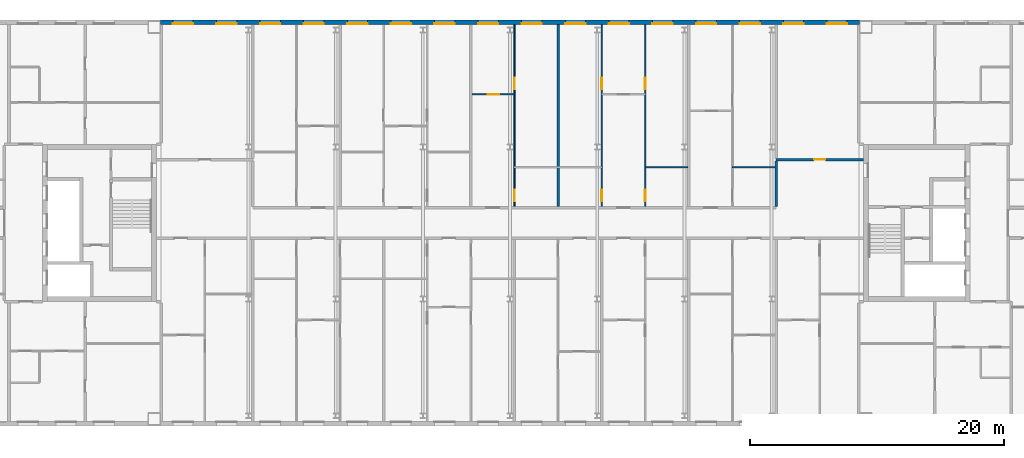
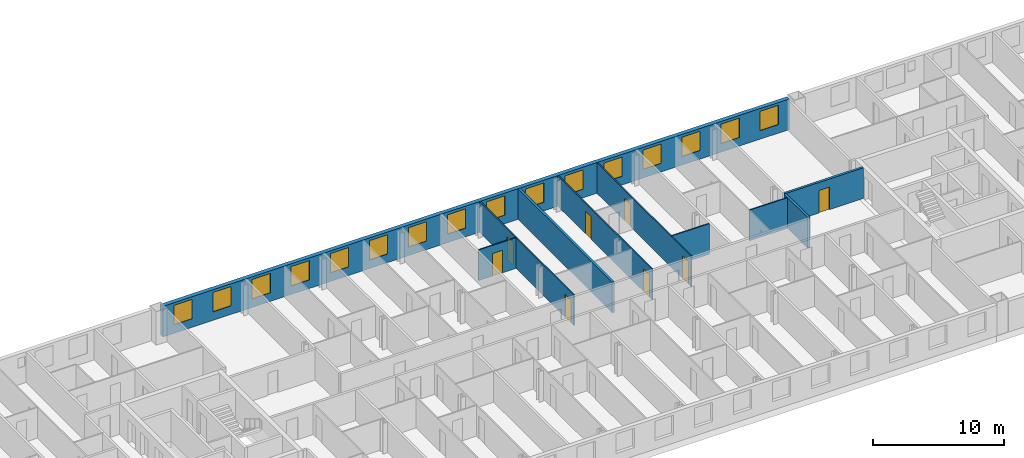
# One storey, part 12 of 19: 16 windows, 10 walls, 8 doors, 24 openings.
"""IFC4 building model written with IfcOpenShell, lengths in metres."""

from ifc_helpers import new_model, si_unit, direction, frame, frame_2d, origin, place, context, subcontext, project, spatial, rectangle, extrude, material, layer, layer_set, type_object, element, fill, save


model = new_model("IFC4")

# Units and contexts
model_context = context("Model", 3, precision=1e-05, world=origin(), true_north=direction((0.0, 1.0)))
body_context = subcontext(model_context, "Body", "Model", "MODEL_VIEW")
ifc_project = project(units=[si_unit("LENGTHUNIT", "METRE"), si_unit("AREAUNIT", "SQUARE_METRE"), si_unit("VOLUMEUNIT", "CUBIC_METRE"), si_unit("PLANEANGLEUNIT", "RADIAN"), si_unit("MASSUNIT", "GRAM", prefix="KILO")], contexts=[model_context])

# Site, building, storey
site_placement = place(None, origin())
site = spatial("IfcSite", under=ifc_project, at=site_placement, CompositionType="ELEMENT")
building_placement = place(site_placement, origin())
building = spatial("IfcBuilding", under=site, at=building_placement, Name="Tuart Gate Housing", CompositionType="ELEMENT")
storey_placement = place(building_placement, frame((0.0, 0.0, 221.39990234375)))
storey = spatial("IfcBuildingStorey", under=building, at=storey_placement, Name="L62", CompositionType="ELEMENT", Elevation=221.39990234375)

# Wall, openings, windows
ifc_material_1 = material(Name="Brick", Category="masonry")
ifc_layer_1 = layer(ifc_material_1, 0.360107421875)
ifc_layer_set_1 = layer_set([ifc_layer_1], Name="Brick pier and spandrel wall 360")
wall_type_1 = type_object("IfcWallType", Name="Brick pier and spandrel wall 360", PredefinedType="STANDARD", material=ifc_layer_set_1)
wall_1_placement = place(storey_placement, frame((131.050048828125, 85.820068359375, 0.0), z_axis=(0.0, 0.0, 1.0), x_axis=(-1.0, 0.0, 0.0)))
wall_1 = element("IfcWall", 1, at=wall_1_placement, inside=storey, type_object=wall_type_1, Name="External wall BLK-N L62", PredefinedType="STANDARD", context=body_context, shape_type="SweptSolid", body=[
    extrude(rectangle(XDim=55.10009765625, YDim=0.360107421875, at=frame_2d((27.550048828125, 0.0))), origin(), (0.0, 0.0, 1.0), 2.85009765625),
])
opening_1_placement = place(wall_1_placement, frame((0.96875, 0.0, 0.800048828125)))
opening_1 = element("IfcOpeningElement", 2, at=opening_1_placement, cuts=wall_1, Name="Opening W1", PredefinedType="OPENING", context=body_context, shape_type="SweptSolid", body=[
    extrude(rectangle(XDim=1.60009765625, YDim=1.800048828125, at=frame_2d((0.800048828125, 0.89990234375))), frame((0.0, 0.18994140625, 0.0), z_axis=(0.0, -1.0, 0.0), x_axis=(1.0, 0.0, 0.0)), (0.0, 0.0, 1.0), 0.380126953125),
])
opening_2_placement = place(wall_1_placement, frame((4.40625, 0.0, 0.800048828125)))
opening_2 = element("IfcOpeningElement", 3, at=opening_2_placement, cuts=wall_1, Name="Opening W1", PredefinedType="OPENING", context=body_context, shape_type="SweptSolid", body=[
    extrude(rectangle(XDim=1.60009765625, YDim=1.800048828125, at=frame_2d((0.800048828125, 0.89990234375))), frame((0.0, 0.18994140625, 0.0), z_axis=(0.0, -1.0, 0.0), x_axis=(1.0, 0.0, 0.0)), (0.0, 0.0, 1.0), 0.380126953125),
])
opening_3_placement = place(wall_1_placement, frame((7.84375, 0.0, 0.800048828125)))
opening_3 = element("IfcOpeningElement", 4, at=opening_3_placement, cuts=wall_1, Name="Opening W1", PredefinedType="OPENING", context=body_context, shape_type="SweptSolid", body=[
    extrude(rectangle(XDim=1.60009765625, YDim=1.800048828125, at=frame_2d((0.800048828125, 0.89990234375))), frame((0.0, 0.18994140625, 0.0), z_axis=(0.0, -1.0, 0.0), x_axis=(1.0, 0.0, 0.0)), (0.0, 0.0, 1.0), 0.380126953125),
])
opening_4_placement = place(wall_1_placement, frame((11.28125, 0.0, 0.800048828125)))
opening_4 = element("IfcOpeningElement", 5, at=opening_4_placement, cuts=wall_1, Name="Opening W1", PredefinedType="OPENING", context=body_context, shape_type="SweptSolid", body=[
    extrude(rectangle(XDim=1.60009765625, YDim=1.800048828125, at=frame_2d((0.800048828125, 0.89990234375))), frame((0.0, 0.18994140625, 0.0), z_axis=(0.0, -1.0, 0.0), x_axis=(1.0, 0.0, 0.0)), (0.0, 0.0, 1.0), 0.380126953125),
])
opening_5_placement = place(wall_1_placement, frame((14.71875, 0.0, 0.800048828125)))
opening_5 = element("IfcOpeningElement", 6, at=opening_5_placement, cuts=wall_1, Name="Opening W1", PredefinedType="OPENING", context=body_context, shape_type="SweptSolid", body=[
    extrude(rectangle(XDim=1.60009765625, YDim=1.800048828125, at=frame_2d((0.800048828125, 0.89990234375))), frame((0.0, 0.18994140625, 0.0), z_axis=(0.0, -1.0, 0.0), x_axis=(1.0, 0.0, 0.0)), (0.0, 0.0, 1.0), 0.380126953125),
])
opening_6_placement = place(wall_1_placement, frame((18.15625, 0.0, 0.800048828125)))
opening_6 = element("IfcOpeningElement", 7, at=opening_6_placement, cuts=wall_1, Name="Opening W1", PredefinedType="OPENING", context=body_context, shape_type="SweptSolid", body=[
    extrude(rectangle(XDim=1.60009765625, YDim=1.800048828125, at=frame_2d((0.800048828125, 0.89990234375))), frame((0.0, 0.18994140625, 0.0), z_axis=(0.0, -1.0, 0.0), x_axis=(1.0, 0.0, 0.0)), (0.0, 0.0, 1.0), 0.380126953125),
])
opening_7_placement = place(wall_1_placement, frame((21.59375, 0.0, 0.800048828125)))
opening_7 = element("IfcOpeningElement", 8, at=opening_7_placement, cuts=wall_1, Name="Opening W1", PredefinedType="OPENING", context=body_context, shape_type="SweptSolid", body=[
    extrude(rectangle(XDim=1.60009765625, YDim=1.800048828125, at=frame_2d((0.800048828125, 0.89990234375))), frame((0.0, 0.18994140625, 0.0), z_axis=(0.0, -1.0, 0.0), x_axis=(1.0, 0.0, 0.0)), (0.0, 0.0, 1.0), 0.380126953125),
])
opening_8_placement = place(wall_1_placement, frame((25.03125, 0.0, 0.800048828125)))
opening_8 = element("IfcOpeningElement", 9, at=opening_8_placement, cuts=wall_1, Name="Opening W1", PredefinedType="OPENING", context=body_context, shape_type="SweptSolid", body=[
    extrude(rectangle(XDim=1.60009765625, YDim=1.800048828125, at=frame_2d((0.800048828125, 0.89990234375))), frame((0.0, 0.18994140625, 0.0), z_axis=(0.0, -1.0, 0.0), x_axis=(1.0, 0.0, 0.0)), (0.0, 0.0, 1.0), 0.380126953125),
])
opening_9_placement = place(wall_1_placement, frame((28.46875, 0.0, 0.800048828125)))
opening_9 = element("IfcOpeningElement", 10, at=opening_9_placement, cuts=wall_1, Name="Opening W1", PredefinedType="OPENING", context=body_context, shape_type="SweptSolid", body=[
    extrude(rectangle(XDim=1.60009765625, YDim=1.800048828125, at=frame_2d((0.800048828125, 0.89990234375))), frame((0.0, 0.18994140625, 0.0), z_axis=(0.0, -1.0, 0.0), x_axis=(1.0, 0.0, 0.0)), (0.0, 0.0, 1.0), 0.380126953125),
])
opening_10_placement = place(wall_1_placement, frame((31.90625, 0.0, 0.800048828125)))
opening_10 = element("IfcOpeningElement", 11, at=opening_10_placement, cuts=wall_1, Name="Opening W1", PredefinedType="OPENING", context=body_context, shape_type="SweptSolid", body=[
    extrude(rectangle(XDim=1.60009765625, YDim=1.800048828125, at=frame_2d((0.800048828125, 0.89990234375))), frame((0.0, 0.18994140625, 0.0), z_axis=(0.0, -1.0, 0.0), x_axis=(1.0, 0.0, 0.0)), (0.0, 0.0, 1.0), 0.380126953125),
])
opening_11_placement = place(wall_1_placement, frame((35.34375, 0.0, 0.800048828125)))
opening_11 = element("IfcOpeningElement", 12, at=opening_11_placement, cuts=wall_1, Name="Opening W1", PredefinedType="OPENING", context=body_context, shape_type="SweptSolid", body=[
    extrude(rectangle(XDim=1.60009765625, YDim=1.800048828125, at=frame_2d((0.800048828125, 0.89990234375))), frame((0.0, 0.18994140625, 0.0), z_axis=(0.0, -1.0, 0.0), x_axis=(1.0, 0.0, 0.0)), (0.0, 0.0, 1.0), 0.380126953125),
])
opening_12_placement = place(wall_1_placement, frame((38.78125, 0.0, 0.800048828125)))
opening_12 = element("IfcOpeningElement", 13, at=opening_12_placement, cuts=wall_1, Name="Opening W1", PredefinedType="OPENING", context=body_context, shape_type="SweptSolid", body=[
    extrude(rectangle(XDim=1.60009765625, YDim=1.800048828125, at=frame_2d((0.800048828125, 0.89990234375))), frame((0.0, 0.18994140625, 0.0), z_axis=(0.0, -1.0, 0.0), x_axis=(1.0, 0.0, 0.0)), (0.0, 0.0, 1.0), 0.380126953125),
])
opening_13_placement = place(wall_1_placement, frame((42.21875, 0.0, 0.800048828125)))
opening_13 = element("IfcOpeningElement", 14, at=opening_13_placement, cuts=wall_1, Name="Opening W1", PredefinedType="OPENING", context=body_context, shape_type="SweptSolid", body=[
    extrude(rectangle(XDim=1.60009765625, YDim=1.800048828125, at=frame_2d((0.800048828125, 0.89990234375))), frame((0.0, 0.18994140625, 0.0), z_axis=(0.0, -1.0, 0.0), x_axis=(1.0, 0.0, 0.0)), (0.0, 0.0, 1.0), 0.380126953125),
])
opening_14_placement = place(wall_1_placement, frame((45.65625, 0.0, 0.800048828125)))
opening_14 = element("IfcOpeningElement", 15, at=opening_14_placement, cuts=wall_1, Name="Opening W1", PredefinedType="OPENING", context=body_context, shape_type="SweptSolid", body=[
    extrude(rectangle(XDim=1.60009765625, YDim=1.800048828125, at=frame_2d((0.800048828125, 0.89990234375))), frame((0.0, 0.18994140625, 0.0), z_axis=(0.0, -1.0, 0.0), x_axis=(1.0, 0.0, 0.0)), (0.0, 0.0, 1.0), 0.380126953125),
])
opening_15_placement = place(wall_1_placement, frame((49.09375, 0.0, 0.800048828125)))
opening_15 = element("IfcOpeningElement", 16, at=opening_15_placement, cuts=wall_1, Name="Opening W1", PredefinedType="OPENING", context=body_context, shape_type="SweptSolid", body=[
    extrude(rectangle(XDim=1.60009765625, YDim=1.800048828125, at=frame_2d((0.800048828125, 0.89990234375))), frame((0.0, 0.18994140625, 0.0), z_axis=(0.0, -1.0, 0.0), x_axis=(1.0, 0.0, 0.0)), (0.0, 0.0, 1.0), 0.380126953125),
])
opening_16_placement = place(wall_1_placement, frame((52.53125, 0.0, 0.800048828125)))
opening_16 = element("IfcOpeningElement", 17, at=opening_16_placement, cuts=wall_1, Name="Opening W1", PredefinedType="OPENING", context=body_context, shape_type="SweptSolid", body=[
    extrude(rectangle(XDim=1.60009765625, YDim=1.800048828125, at=frame_2d((0.800048828125, 0.89990234375))), frame((0.0, 0.18994140625, 0.0), z_axis=(0.0, -1.0, 0.0), x_axis=(1.0, 0.0, 0.0)), (0.0, 0.0, 1.0), 0.380126953125),
])
ifc_material_2 = material(Name="Aluminium frame with clear glass", Category="aluminium")
window_type = type_object("IfcWindowType", Name="Punched window 1600 x 1800", PartitioningType="SINGLE_PANEL", PredefinedType="WINDOW", material=ifc_material_2)
window_1_placement = place(opening_1_placement, origin())
window_1 = element("IfcWindow", 18, at=window_1_placement, inside=storey, type_object=window_type, Name="Window W1", OverallHeight=1.800048828125, OverallWidth=1.60009765625, PartitioningType="SINGLE_PANEL", PredefinedType="WINDOW", context=body_context, shape_type="SweptSolid", body=[
    extrude(rectangle(XDim=1.60009765625, YDim=1.800048828125, at=frame_2d((0.800048828125, 0.89990234375))), frame((0.0, 0.150146484375, 0.0), z_axis=(0.0, -1.0, 0.0), x_axis=(1.0, 0.0, 0.0)), (0.0, 0.0, 1.0), 0.06005859375),
])
fill(opening_1, window_1)
window_2_placement = place(opening_2_placement, origin())
window_2 = element("IfcWindow", 19, at=window_2_placement, inside=storey, type_object=window_type, Name="Window W1", OverallHeight=1.800048828125, OverallWidth=1.60009765625, PartitioningType="SINGLE_PANEL", PredefinedType="WINDOW", context=body_context, shape_type="SweptSolid", body=[
    extrude(rectangle(XDim=1.60009765625, YDim=1.800048828125, at=frame_2d((0.800048828125, 0.89990234375))), frame((0.0, 0.150146484375, 0.0), z_axis=(0.0, -1.0, 0.0), x_axis=(1.0, 0.0, 0.0)), (0.0, 0.0, 1.0), 0.06005859375),
])
fill(opening_2, window_2)
window_3_placement = place(opening_3_placement, origin())
window_3 = element("IfcWindow", 20, at=window_3_placement, inside=storey, type_object=window_type, Name="Window W1", OverallHeight=1.800048828125, OverallWidth=1.60009765625, PartitioningType="SINGLE_PANEL", PredefinedType="WINDOW", context=body_context, shape_type="SweptSolid", body=[
    extrude(rectangle(XDim=1.60009765625, YDim=1.800048828125, at=frame_2d((0.800048828125, 0.89990234375))), frame((0.0, 0.150146484375, 0.0), z_axis=(0.0, -1.0, 0.0), x_axis=(1.0, 0.0, 0.0)), (0.0, 0.0, 1.0), 0.06005859375),
])
fill(opening_3, window_3)
window_4_placement = place(opening_4_placement, origin())
window_4 = element("IfcWindow", 21, at=window_4_placement, inside=storey, type_object=window_type, Name="Window W1", OverallHeight=1.800048828125, OverallWidth=1.60009765625, PartitioningType="SINGLE_PANEL", PredefinedType="WINDOW", context=body_context, shape_type="SweptSolid", body=[
    extrude(rectangle(XDim=1.60009765625, YDim=1.800048828125, at=frame_2d((0.800048828125, 0.89990234375))), frame((0.0, 0.150146484375, 0.0), z_axis=(0.0, -1.0, 0.0), x_axis=(1.0, 0.0, 0.0)), (0.0, 0.0, 1.0), 0.06005859375),
])
fill(opening_4, window_4)
window_5_placement = place(opening_5_placement, origin())
window_5 = element("IfcWindow", 22, at=window_5_placement, inside=storey, type_object=window_type, Name="Window W1", OverallHeight=1.800048828125, OverallWidth=1.60009765625, PartitioningType="SINGLE_PANEL", PredefinedType="WINDOW", context=body_context, shape_type="SweptSolid", body=[
    extrude(rectangle(XDim=1.60009765625, YDim=1.800048828125, at=frame_2d((0.800048828125, 0.89990234375))), frame((0.0, 0.150146484375, 0.0), z_axis=(0.0, -1.0, 0.0), x_axis=(1.0, 0.0, 0.0)), (0.0, 0.0, 1.0), 0.06005859375),
])
fill(opening_5, window_5)
window_6_placement = place(opening_6_placement, origin())
window_6 = element("IfcWindow", 23, at=window_6_placement, inside=storey, type_object=window_type, Name="Window W1", OverallHeight=1.800048828125, OverallWidth=1.60009765625, PartitioningType="SINGLE_PANEL", PredefinedType="WINDOW", context=body_context, shape_type="SweptSolid", body=[
    extrude(rectangle(XDim=1.60009765625, YDim=1.800048828125, at=frame_2d((0.800048828125, 0.89990234375))), frame((0.0, 0.150146484375, 0.0), z_axis=(0.0, -1.0, 0.0), x_axis=(1.0, 0.0, 0.0)), (0.0, 0.0, 1.0), 0.06005859375),
])
fill(opening_6, window_6)
window_7_placement = place(opening_7_placement, origin())
window_7 = element("IfcWindow", 24, at=window_7_placement, inside=storey, type_object=window_type, Name="Window W1", OverallHeight=1.800048828125, OverallWidth=1.60009765625, PartitioningType="SINGLE_PANEL", PredefinedType="WINDOW", context=body_context, shape_type="SweptSolid", body=[
    extrude(rectangle(XDim=1.60009765625, YDim=1.800048828125, at=frame_2d((0.800048828125, 0.89990234375))), frame((0.0, 0.150146484375, 0.0), z_axis=(0.0, -1.0, 0.0), x_axis=(1.0, 0.0, 0.0)), (0.0, 0.0, 1.0), 0.06005859375),
])
fill(opening_7, window_7)
window_8_placement = place(opening_8_placement, origin())
window_8 = element("IfcWindow", 25, at=window_8_placement, inside=storey, type_object=window_type, Name="Window W1", OverallHeight=1.800048828125, OverallWidth=1.60009765625, PartitioningType="SINGLE_PANEL", PredefinedType="WINDOW", context=body_context, shape_type="SweptSolid", body=[
    extrude(rectangle(XDim=1.60009765625, YDim=1.800048828125, at=frame_2d((0.800048828125, 0.89990234375))), frame((0.0, 0.150146484375, 0.0), z_axis=(0.0, -1.0, 0.0), x_axis=(1.0, 0.0, 0.0)), (0.0, 0.0, 1.0), 0.06005859375),
])
fill(opening_8, window_8)
window_9_placement = place(opening_9_placement, origin())
window_9 = element("IfcWindow", 26, at=window_9_placement, inside=storey, type_object=window_type, Name="Window W1", OverallHeight=1.800048828125, OverallWidth=1.60009765625, PartitioningType="SINGLE_PANEL", PredefinedType="WINDOW", context=body_context, shape_type="SweptSolid", body=[
    extrude(rectangle(XDim=1.60009765625, YDim=1.800048828125, at=frame_2d((0.800048828125, 0.89990234375))), frame((0.0, 0.150146484375, 0.0), z_axis=(0.0, -1.0, 0.0), x_axis=(1.0, 0.0, 0.0)), (0.0, 0.0, 1.0), 0.06005859375),
])
fill(opening_9, window_9)
window_10_placement = place(opening_10_placement, origin())
window_10 = element("IfcWindow", 27, at=window_10_placement, inside=storey, type_object=window_type, Name="Window W1", OverallHeight=1.800048828125, OverallWidth=1.60009765625, PartitioningType="SINGLE_PANEL", PredefinedType="WINDOW", context=body_context, shape_type="SweptSolid", body=[
    extrude(rectangle(XDim=1.60009765625, YDim=1.800048828125, at=frame_2d((0.800048828125, 0.89990234375))), frame((0.0, 0.150146484375, 0.0), z_axis=(0.0, -1.0, 0.0), x_axis=(1.0, 0.0, 0.0)), (0.0, 0.0, 1.0), 0.06005859375),
])
fill(opening_10, window_10)
window_11_placement = place(opening_11_placement, origin())
window_11 = element("IfcWindow", 28, at=window_11_placement, inside=storey, type_object=window_type, Name="Window W1", OverallHeight=1.800048828125, OverallWidth=1.60009765625, PartitioningType="SINGLE_PANEL", PredefinedType="WINDOW", context=body_context, shape_type="SweptSolid", body=[
    extrude(rectangle(XDim=1.60009765625, YDim=1.800048828125, at=frame_2d((0.800048828125, 0.89990234375))), frame((0.0, 0.150146484375, 0.0), z_axis=(0.0, -1.0, 0.0), x_axis=(1.0, 0.0, 0.0)), (0.0, 0.0, 1.0), 0.06005859375),
])
fill(opening_11, window_11)
window_12_placement = place(opening_12_placement, origin())
window_12 = element("IfcWindow", 29, at=window_12_placement, inside=storey, type_object=window_type, Name="Window W1", OverallHeight=1.800048828125, OverallWidth=1.60009765625, PartitioningType="SINGLE_PANEL", PredefinedType="WINDOW", context=body_context, shape_type="SweptSolid", body=[
    extrude(rectangle(XDim=1.60009765625, YDim=1.800048828125, at=frame_2d((0.800048828125, 0.89990234375))), frame((0.0, 0.150146484375, 0.0), z_axis=(0.0, -1.0, 0.0), x_axis=(1.0, 0.0, 0.0)), (0.0, 0.0, 1.0), 0.06005859375),
])
fill(opening_12, window_12)
window_13_placement = place(opening_13_placement, origin())
window_13 = element("IfcWindow", 30, at=window_13_placement, inside=storey, type_object=window_type, Name="Window W1", OverallHeight=1.800048828125, OverallWidth=1.60009765625, PartitioningType="SINGLE_PANEL", PredefinedType="WINDOW", context=body_context, shape_type="SweptSolid", body=[
    extrude(rectangle(XDim=1.60009765625, YDim=1.800048828125, at=frame_2d((0.800048828125, 0.89990234375))), frame((0.0, 0.150146484375, 0.0), z_axis=(0.0, -1.0, 0.0), x_axis=(1.0, 0.0, 0.0)), (0.0, 0.0, 1.0), 0.06005859375),
])
fill(opening_13, window_13)
window_14_placement = place(opening_14_placement, origin())
window_14 = element("IfcWindow", 31, at=window_14_placement, inside=storey, type_object=window_type, Name="Window W1", OverallHeight=1.800048828125, OverallWidth=1.60009765625, PartitioningType="SINGLE_PANEL", PredefinedType="WINDOW", context=body_context, shape_type="SweptSolid", body=[
    extrude(rectangle(XDim=1.60009765625, YDim=1.800048828125, at=frame_2d((0.800048828125, 0.89990234375))), frame((0.0, 0.150146484375, 0.0), z_axis=(0.0, -1.0, 0.0), x_axis=(1.0, 0.0, 0.0)), (0.0, 0.0, 1.0), 0.06005859375),
])
fill(opening_14, window_14)
window_15_placement = place(opening_15_placement, origin())
window_15 = element("IfcWindow", 32, at=window_15_placement, inside=storey, type_object=window_type, Name="Window W1", OverallHeight=1.800048828125, OverallWidth=1.60009765625, PartitioningType="SINGLE_PANEL", PredefinedType="WINDOW", context=body_context, shape_type="SweptSolid", body=[
    extrude(rectangle(XDim=1.60009765625, YDim=1.800048828125, at=frame_2d((0.800048828125, 0.89990234375))), frame((0.0, 0.150146484375, 0.0), z_axis=(0.0, -1.0, 0.0), x_axis=(1.0, 0.0, 0.0)), (0.0, 0.0, 1.0), 0.06005859375),
])
fill(opening_15, window_15)
window_16_placement = place(opening_16_placement, origin())
window_16 = element("IfcWindow", 33, at=window_16_placement, inside=storey, type_object=window_type, Name="Window W1", OverallHeight=1.800048828125, OverallWidth=1.60009765625, PartitioningType="SINGLE_PANEL", PredefinedType="WINDOW", context=body_context, shape_type="SweptSolid", body=[
    extrude(rectangle(XDim=1.60009765625, YDim=1.800048828125, at=frame_2d((0.800048828125, 0.89990234375))), frame((0.0, 0.150146484375, 0.0), z_axis=(0.0, -1.0, 0.0), x_axis=(1.0, 0.0, 0.0)), (0.0, 0.0, 1.0), 0.06005859375),
])
fill(opening_16, window_16)

# Wall, opening, door
ifc_material_3 = material(Name="Concrete masonry 15 MPa", Category="masonry")
ifc_layer_2 = layer(ifc_material_3, 0.199951171875)
ifc_layer_set_2 = layer_set([ifc_layer_2], Name="Corridor wall masonry 200")
wall_type_2 = type_object("IfcWallType", Name="Corridor wall masonry 200", PredefinedType="PARTITIONING", material=ifc_layer_set_2)
wall_2_placement = place(storey_placement, frame((124.47509765625, 75.0, 0.0), z_axis=(0.0, 0.0, 1.0), x_axis=(1.0, 0.0, 0.0)))
wall_2 = element("IfcWall", 34, at=wall_2_placement, inside=storey, type_object=wall_type_2, Name="Corridor wall masonry 200", PredefinedType="PARTITIONING", context=body_context, shape_type="SweptSolid", body=[
    extrude(rectangle(XDim=6.885009765625, YDim=0.199951171875, at=frame_2d((3.4423828125, 0.0))), origin(), (0.0, 0.0, 1.0), 2.85009765625),
])
opening_17_placement = place(wall_2_placement, frame((2.992431640625, 0.0, 0.0)))
opening_17 = element("IfcOpeningElement", 35, at=opening_17_placement, cuts=wall_2, Name="Opening D2353", PredefinedType="OPENING", context=body_context, shape_type="SweptSolid", body=[
    extrude(rectangle(XDim=0.89990234375, YDim=2.10009765625, at=frame_2d((0.449951171875, 1.050048828125))), frame((0.0, 0.10986328125, 0.0), z_axis=(0.0, -1.0, 0.0), x_axis=(1.0, 0.0, 0.0)), (0.0, 0.0, 1.0), 0.219970703125),
])
ifc_material_4 = material(Name="Timber door leaf in steel frame", Category="steel")
door_type_1 = type_object("IfcDoorType", Name="Internal door 900", OperationType="SINGLE_SWING_LEFT", PredefinedType="DOOR", material=ifc_material_4)
door_1_placement = place(opening_17_placement, origin())
door_1 = element("IfcDoor", 36, at=door_1_placement, inside=storey, type_object=door_type_1, Name="Internal door", OperationType="SINGLE_SWING_LEFT", OverallHeight=2.10009765625, OverallWidth=0.89990234375, PredefinedType="DOOR", context=body_context, shape_type="SweptSolid", body=[
    extrude(rectangle(XDim=0.89990234375, YDim=2.10009765625, at=frame_2d((0.449951171875, 1.050048828125))), frame((0.0, 0.02490234375, 0.0), z_axis=(0.0, -1.0, 0.0), x_axis=(1.0, 0.0, 0.0)), (0.0, 0.0, 1.0), 0.050048828125),
])
fill(opening_17, door_1)

# Walls
wall_3_placement = place(storey_placement, frame((124.47509765625, 71.300048828125, 0.0), z_axis=(0.0, 0.0, 1.0), x_axis=(0.0, 1.0, 0.0)))
element("IfcWall", 37, at=wall_3_placement, inside=storey, type_object=wall_type_2, Name="Corridor wall masonry 200", PredefinedType="PARTITIONING", context=body_context, shape_type="SweptSolid", body=[
    extrude(rectangle(XDim=3.599853515625, YDim=0.199951171875, at=frame_2d((1.7998046875, 0.0))), origin(), (0.0, 0.0, 1.0), 2.85009765625),
])
ifc_material_5 = material(Name="Gypsum board on steel studs", Category="steel")
ifc_layer_3 = layer(ifc_material_5, 0.10009765625)
ifc_layer_set_3 = layer_set([ifc_layer_3], Name="Partition 100")
wall_type_3 = type_object("IfcWallType", Name="Partition 100", PredefinedType="PARTITIONING", material=ifc_layer_set_3)
for number, where, z_axis, x_axis, name in (
    (38, (114.162109375, 74.39990234375, 0.0), (0.0, 0.0, 1.0), (1.0, 0.0, 0.0), "Partition 100"),
    (39, (121.037109375, 74.39990234375, 0.0), (0.0, 0.0, 1.0), (1.0, 0.0, 0.0), "Partition 100"),
):
    element("IfcWall", number, at=place(storey_placement, frame(where, z_axis=z_axis, x_axis=x_axis)), inside=storey, type_object=wall_type_3, Name=name, PredefinedType="PARTITIONING", context=body_context, shape_type="SweptSolid", body=[
        extrude(rectangle(XDim=3.337890625, YDim=0.10009765625, at=frame_2d((1.6689453125, 0.0))), origin(), (0.0, 0.0, 1.0), 2.85009765625),
    ])

# Wall, opening, door
wall_4_placement = place(storey_placement, frame((100.511962890625, 80.139892578125, 0.0), z_axis=(0.0, 0.0, 1.0), x_axis=(1.0, 0.0, 0.0)))
wall_4 = element("IfcWall", 40, at=wall_4_placement, inside=storey, type_object=wall_type_3, Name="Partition 100", PredefinedType="PARTITIONING", context=body_context, shape_type="SweptSolid", body=[
    extrude(rectangle(XDim=3.338134765625, YDim=0.10009765625, at=frame_2d((1.6689453125, 0.0))), origin(), (0.0, 0.0, 1.0), 2.85009765625),
])
opening_18_placement = place(wall_4_placement, frame((1.218994140625, 0.0, 0.0)))
opening_18 = element("IfcOpeningElement", 41, at=opening_18_placement, cuts=wall_4, Name="Opening D2333", PredefinedType="OPENING", context=body_context, shape_type="SweptSolid", body=[
    extrude(rectangle(XDim=0.89990234375, YDim=2.10009765625, at=frame_2d((0.449951171875, 1.050048828125))), frame((0.0, 0.06005859375, 0.0), z_axis=(0.0, -1.0, 0.0), x_axis=(1.0, 0.0, 0.0)), (0.0, 0.0, 1.0), 0.1201171875),
])
door_2_placement = place(opening_18_placement, frame((0.89990234375, 0.0, 0.0), z_axis=(0.0, 0.0, 1.0), x_axis=(-1.0, 0.0, 0.0)))
door_2 = element("IfcDoor", 42, at=door_2_placement, inside=storey, type_object=door_type_1, Name="Internal door", OperationType="SINGLE_SWING_LEFT", OverallHeight=2.10009765625, OverallWidth=0.89990234375, PredefinedType="DOOR", context=body_context, shape_type="SweptSolid", body=[
    extrude(rectangle(XDim=0.89990234375, YDim=2.10009765625, at=frame_2d((0.449951171875, 1.050048828125))), frame((0.0, 0.025146484375, 0.0), z_axis=(0.0, -1.0, 0.0), x_axis=(1.0, 0.0, 0.0)), (0.0, 0.0, 1.0), 0.050048828125),
])
fill(opening_18, door_2)

# Wall, openings, doors
wall_5_placement = place(storey_placement, frame((103.85009765625, 71.300048828125, 0.0), z_axis=(0.0, 0.0, 1.0), x_axis=(0.0, 1.0, 0.0)))
wall_5 = element("IfcWall", 43, at=wall_5_placement, inside=storey, type_object=wall_type_3, Name="Partition 100", PredefinedType="PARTITIONING", context=body_context, shape_type="SweptSolid", body=[
    extrude(rectangle(XDim=14.33984375, YDim=0.10009765625, at=frame_2d((7.169921875, 0.0))), origin(), (0.0, 0.0, 1.0), 2.85009765625),
])
opening_19_placement = place(wall_5_placement, frame((9.239990234375, 0.0, 0.0)))
opening_19 = element("IfcOpeningElement", 44, at=opening_19_placement, cuts=wall_5, Name="Opening D2343", PredefinedType="OPENING", context=body_context, shape_type="SweptSolid", body=[
    extrude(rectangle(XDim=0.89990234375, YDim=2.10009765625, at=frame_2d((0.449951171875, 1.050048828125))), frame((0.0, 0.06005859375, 0.0), z_axis=(0.0, -1.0, 0.0), x_axis=(1.0, 0.0, 0.0)), (0.0, 0.0, 1.0), 0.1201171875),
])
opening_20_placement = place(wall_5_placement, frame((0.39990234375, 0.0, 0.0)))
opening_20 = element("IfcOpeningElement", 45, at=opening_20_placement, cuts=wall_5, Name="Opening D2342", PredefinedType="OPENING", context=body_context, shape_type="SweptSolid", body=[
    extrude(rectangle(XDim=0.89990234375, YDim=2.10009765625, at=frame_2d((0.449951171875, 1.050048828125))), frame((0.0, 0.06005859375, 0.0), z_axis=(0.0, -1.0, 0.0), x_axis=(1.0, 0.0, 0.0)), (0.0, 0.0, 1.0), 0.1201171875),
])
ifc_material_6 = material(Name="Timber door leaf in steel frame", Category="steel")
door_type_2 = type_object("IfcDoorType", Name="Bathroom door 900 RH", OperationType="SINGLE_SWING_RIGHT", PredefinedType="DOOR", material=ifc_material_6)
door_3_placement = place(opening_20_placement, frame((0.89990234375, 0.0, 0.0), z_axis=(0.0, 0.0, 1.0), x_axis=(-1.0, 0.0, 0.0)))
door_3 = element("IfcDoor", 46, at=door_3_placement, inside=storey, type_object=door_type_2, Name="Bathroom door", OperationType="SINGLE_SWING_RIGHT", OverallHeight=2.10009765625, OverallWidth=0.89990234375, PredefinedType="DOOR", context=body_context, shape_type="SweptSolid", body=[
    extrude(rectangle(XDim=0.89990234375, YDim=2.10009765625, at=frame_2d((0.449951171875, 1.050048828125))), frame((0.0, 0.025146484375, 0.0), z_axis=(0.0, -1.0, 0.0), x_axis=(1.0, 0.0, 0.0)), (0.0, 0.0, 1.0), 0.050048828125),
])
fill(opening_20, door_3)
door_4_placement = place(opening_19_placement, frame((0.89990234375, 0.0, 0.0), z_axis=(0.0, 0.0, 1.0), x_axis=(-1.0, 0.0, 0.0)))
door_4 = element("IfcDoor", 47, at=door_4_placement, inside=storey, type_object=door_type_1, Name="Internal door", OperationType="SINGLE_SWING_LEFT", OverallHeight=2.10009765625, OverallWidth=0.89990234375, PredefinedType="DOOR", context=body_context, shape_type="SweptSolid", body=[
    extrude(rectangle(XDim=0.89990234375, YDim=2.10009765625, at=frame_2d((0.449951171875, 1.050048828125))), frame((0.0, 0.025146484375, 0.0), z_axis=(0.0, -1.0, 0.0), x_axis=(1.0, 0.0, 0.0)), (0.0, 0.0, 1.0), 0.050048828125),
])
fill(opening_19, door_4)

wall_6_placement = place(storey_placement, frame((110.72509765625, 71.300048828125, 0.0), z_axis=(0.0, 0.0, 1.0), x_axis=(0.0, 1.0, 0.0)))
wall_6 = element("IfcWall", 48, at=wall_6_placement, inside=storey, type_object=wall_type_3, Name="Partition 100", PredefinedType="PARTITIONING", context=body_context, shape_type="SweptSolid", body=[
    extrude(rectangle(XDim=14.33984375, YDim=0.10009765625, at=frame_2d((7.169921875, 0.0))), origin(), (0.0, 0.0, 1.0), 2.85009765625),
])
opening_21_placement = place(wall_6_placement, frame((9.239990234375, 0.0, 0.0)))
opening_21 = element("IfcOpeningElement", 49, at=opening_21_placement, cuts=wall_6, Name="Opening D2345", PredefinedType="OPENING", context=body_context, shape_type="SweptSolid", body=[
    extrude(rectangle(XDim=0.89990234375, YDim=2.10009765625, at=frame_2d((0.449951171875, 1.050048828125))), frame((0.0, 0.06005859375, 0.0), z_axis=(0.0, -1.0, 0.0), x_axis=(1.0, 0.0, 0.0)), (0.0, 0.0, 1.0), 0.1201171875),
])
opening_22_placement = place(wall_6_placement, frame((0.39990234375, 0.0, 0.0)))
opening_22 = element("IfcOpeningElement", 50, at=opening_22_placement, cuts=wall_6, Name="Opening D2344", PredefinedType="OPENING", context=body_context, shape_type="SweptSolid", body=[
    extrude(rectangle(XDim=0.89990234375, YDim=2.10009765625, at=frame_2d((0.449951171875, 1.050048828125))), frame((0.0, 0.06005859375, 0.0), z_axis=(0.0, -1.0, 0.0), x_axis=(1.0, 0.0, 0.0)), (0.0, 0.0, 1.0), 0.1201171875),
])
ifc_material_7 = material(Name="Timber door leaf in steel frame", Category="steel")
door_type_3 = type_object("IfcDoorType", Name="Bathroom door 900", OperationType="SINGLE_SWING_LEFT", PredefinedType="DOOR", material=ifc_material_7)
door_5_placement = place(opening_22_placement, origin())
door_5 = element("IfcDoor", 51, at=door_5_placement, inside=storey, type_object=door_type_3, Name="Bathroom door", OperationType="SINGLE_SWING_LEFT", OverallHeight=2.10009765625, OverallWidth=0.89990234375, PredefinedType="DOOR", context=body_context, shape_type="SweptSolid", body=[
    extrude(rectangle(XDim=0.89990234375, YDim=2.10009765625, at=frame_2d((0.449951171875, 1.050048828125))), frame((0.0, 0.02490234375, 0.0), z_axis=(0.0, -1.0, 0.0), x_axis=(1.0, 0.0, 0.0)), (0.0, 0.0, 1.0), 0.050048828125),
])
fill(opening_22, door_5)
ifc_material_8 = material(Name="Timber door leaf in steel frame", Category="steel")
door_type_4 = type_object("IfcDoorType", Name="Internal door 900 RH", OperationType="SINGLE_SWING_RIGHT", PredefinedType="DOOR", material=ifc_material_8)
door_6_placement = place(opening_21_placement, origin())
door_6 = element("IfcDoor", 52, at=door_6_placement, inside=storey, type_object=door_type_4, Name="Internal door", OperationType="SINGLE_SWING_RIGHT", OverallHeight=2.10009765625, OverallWidth=0.89990234375, PredefinedType="DOOR", context=body_context, shape_type="SweptSolid", body=[
    extrude(rectangle(XDim=0.89990234375, YDim=2.10009765625, at=frame_2d((0.449951171875, 1.050048828125))), frame((0.0, 0.02490234375, 0.0), z_axis=(0.0, -1.0, 0.0), x_axis=(1.0, 0.0, 0.0)), (0.0, 0.0, 1.0), 0.050048828125),
])
fill(opening_21, door_6)

wall_7_placement = place(storey_placement, frame((114.162109375, 71.300048828125, 0.0), z_axis=(0.0, 0.0, 1.0), x_axis=(0.0, 1.0, 0.0)))
wall_7 = element("IfcWall", 53, at=wall_7_placement, inside=storey, type_object=wall_type_3, Name="Partition 100", PredefinedType="PARTITIONING", context=body_context, shape_type="SweptSolid", body=[
    extrude(rectangle(XDim=14.33984375, YDim=0.10009765625, at=frame_2d((7.169921875, 0.0))), origin(), (0.0, 0.0, 1.0), 2.85009765625),
])
opening_23_placement = place(wall_7_placement, frame((9.239990234375, 0.0, 0.0)))
opening_23 = element("IfcOpeningElement", 54, at=opening_23_placement, cuts=wall_7, Name="Opening D2347", PredefinedType="OPENING", context=body_context, shape_type="SweptSolid", body=[
    extrude(rectangle(XDim=0.89990234375, YDim=2.10009765625, at=frame_2d((0.449951171875, 1.050048828125))), frame((0.0, 0.06005859375, 0.0), z_axis=(0.0, -1.0, 0.0), x_axis=(1.0, 0.0, 0.0)), (0.0, 0.0, 1.0), 0.1201171875),
])
opening_24_placement = place(wall_7_placement, frame((0.39990234375, 0.0, 0.0)))
opening_24 = element("IfcOpeningElement", 55, at=opening_24_placement, cuts=wall_7, Name="Opening D2346", PredefinedType="OPENING", context=body_context, shape_type="SweptSolid", body=[
    extrude(rectangle(XDim=0.89990234375, YDim=2.10009765625, at=frame_2d((0.449951171875, 1.050048828125))), frame((0.0, 0.06005859375, 0.0), z_axis=(0.0, -1.0, 0.0), x_axis=(1.0, 0.0, 0.0)), (0.0, 0.0, 1.0), 0.1201171875),
])
door_7_placement = place(opening_24_placement, frame((0.89990234375, 0.0, 0.0), z_axis=(0.0, 0.0, 1.0), x_axis=(-1.0, 0.0, 0.0)))
door_7 = element("IfcDoor", 56, at=door_7_placement, inside=storey, type_object=door_type_2, Name="Bathroom door", OperationType="SINGLE_SWING_RIGHT", OverallHeight=2.10009765625, OverallWidth=0.89990234375, PredefinedType="DOOR", context=body_context, shape_type="SweptSolid", body=[
    extrude(rectangle(XDim=0.89990234375, YDim=2.10009765625, at=frame_2d((0.449951171875, 1.050048828125))), frame((0.0, 0.025146484375, 0.0), z_axis=(0.0, -1.0, 0.0), x_axis=(1.0, 0.0, 0.0)), (0.0, 0.0, 1.0), 0.050048828125),
])
fill(opening_24, door_7)
door_8_placement = place(opening_23_placement, frame((0.89990234375, 0.0, 0.0), z_axis=(0.0, 0.0, 1.0), x_axis=(-1.0, 0.0, 0.0)))
door_8 = element("IfcDoor", 57, at=door_8_placement, inside=storey, type_object=door_type_1, Name="Internal door", OperationType="SINGLE_SWING_LEFT", OverallHeight=2.10009765625, OverallWidth=0.89990234375, PredefinedType="DOOR", context=body_context, shape_type="SweptSolid", body=[
    extrude(rectangle(XDim=0.89990234375, YDim=2.10009765625, at=frame_2d((0.449951171875, 1.050048828125))), frame((0.0, 0.025146484375, 0.0), z_axis=(0.0, -1.0, 0.0), x_axis=(1.0, 0.0, 0.0)), (0.0, 0.0, 1.0), 0.050048828125),
])
fill(opening_23, door_8)

# Wall
ifc_material_9 = material(Name="Concrete masonry 15 MPa", Category="masonry")
ifc_layer_4 = layer(ifc_material_9, 0.199951171875)
ifc_layer_set_4 = layer_set([ifc_layer_4], Name="Party wall masonry 200")
wall_type_4 = type_object("IfcWallType", Name="Party wall masonry 200", PredefinedType="PARTITIONING", material=ifc_layer_set_4)
wall_8_placement = place(storey_placement, frame((107.287109375, 71.300048828125, 0.0), z_axis=(0.0, 0.0, 1.0), x_axis=(0.0, 1.0, 0.0)))
element("IfcWall", 58, at=wall_8_placement, inside=storey, type_object=wall_type_4, Name="Party wall masonry 200", PredefinedType="PARTITIONING", context=body_context, shape_type="SweptSolid", body=[
    extrude(rectangle(XDim=14.33984375, YDim=0.199951171875, at=frame_2d((7.169921875, 0.0))), origin(), (0.0, 0.0, 1.0), 2.85009765625),
])

save(model, "model.ifc")
